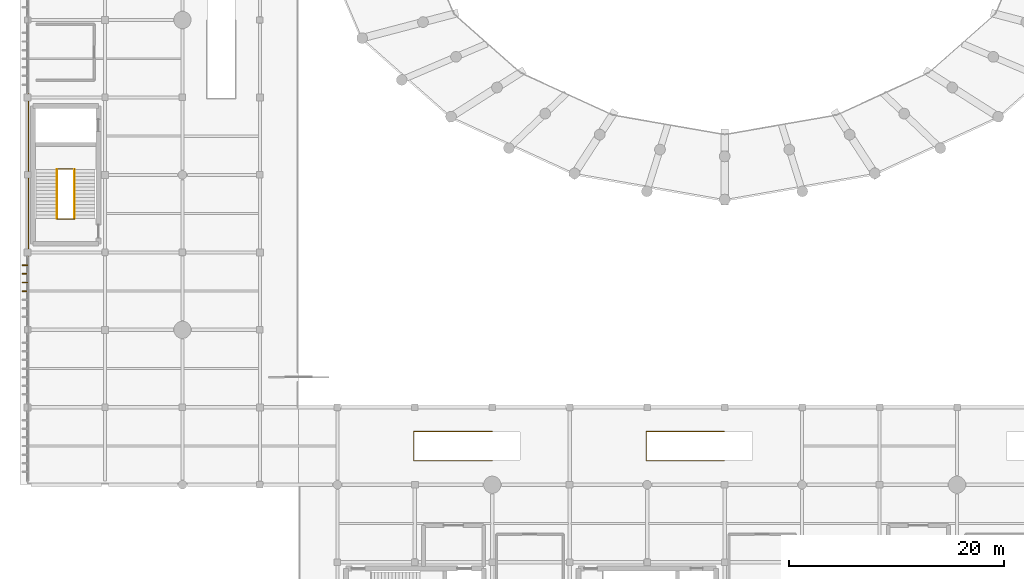
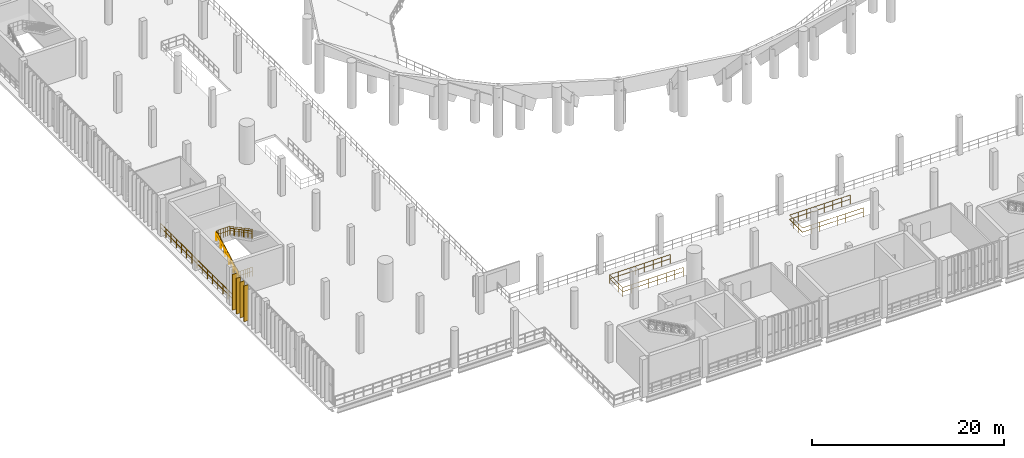
# One storey, part 91 of 105: 9 railings, 4 coverings.
"""IFC4 building model written with IfcOpenShell, lengths in metres."""

from ifc_helpers import new_model, si_unit, direction, frame, origin, origin_2d, place, context, subcontext, project, spatial, rectangle, circle, extrude, material, layer, layer_set, type_object, element, save


model = new_model("IFC4")

# Units and contexts
model_context = context("Model", 3, precision=1e-05, world=origin(), true_north=direction((0.0, 1.0)))
body_context = subcontext(model_context, "Body", "Model", "MODEL_VIEW")
ifc_project = project(units=[si_unit("LENGTHUNIT", "METRE"), si_unit("AREAUNIT", "SQUARE_METRE"), si_unit("VOLUMEUNIT", "CUBIC_METRE"), si_unit("PLANEANGLEUNIT", "RADIAN"), si_unit("MASSUNIT", "GRAM", prefix="KILO")], contexts=[model_context])

# Site, building, storey
site_placement = place(None, origin())
site = spatial("IfcSite", under=ifc_project, at=site_placement, CompositionType="ELEMENT")
building_placement = place(site_placement, origin())
building = spatial("IfcBuilding", under=site, at=building_placement, Name="Qandorah Velis Arena", CompositionType="ELEMENT")
storey_placement = place(building_placement, frame((0.0, 0.0, 13.800048828125)))
storey = spatial("IfcBuildingStorey", under=building, at=storey_placement, Name="L03", CompositionType="ELEMENT", Elevation=13.800048828125)

# Coverings
ifc_material_1 = material(Name="Champagne-bronze anodized aluminium 6063-T6", Category="aluminium")
ifc_layer = layer(ifc_material_1, 0.0849609375)
ifc_layer_set = layer_set([ifc_layer], Name="Champagne-bronze anodized aluminium 6063-T6")
covering_type = type_object("IfcCoveringType", Name="ARC-COV-FIN520", PredefinedType="CLADDING", material=ifc_layer_set)
for number, where, z_axis, x_axis, name in (
    (1, (-0.251953125, 32.39990234375, -0.01025390625), (0.0, 0.0, 1.0), (1.0, 0.0, 0.0), "Vertical champagne-bronze solar fin blade WNG-W-L03-04-004"),
    (2, (-0.251953125, 33.199951171875, -0.01025390625), (0.0, 0.0, 1.0), (1.0, 0.0, 0.0), "Vertical champagne-bronze solar fin blade WNG-W-L03-04-005"),
    (3, (-0.251953125, 34.0, -0.01025390625), (0.0, 0.0, 1.0), (1.0, 0.0, 0.0), "Vertical champagne-bronze solar fin blade WNG-W-L03-04-006"),
    (4, (-0.251953125, 34.800048828125, -0.01025390625), (0.0, 0.0, 1.0), (1.0, 0.0, 0.0), "Vertical champagne-bronze solar fin blade WNG-W-L03-04-007"),
):
    element("IfcCovering", number, at=place(storey_placement, frame(where, z_axis=z_axis, x_axis=x_axis)), inside=storey, type_object=covering_type, Name=name, PredefinedType="CLADDING", context=body_context, shape_type="SweptSolid", body=[
        extrude(rectangle(XDim=0.52001953125, YDim=0.0849609375, at=origin_2d()), origin(), (0.0, 0.0, 1.0), 4.550048828125),
    ])

# Railings
ifc_material_2 = material(Name="Stainless steel 316", Category="steel")
railing_type_1 = type_object("IfcRailingType", Name="ARC-RL-GRD1150", PredefinedType="GUARDRAIL", material=ifc_material_2)
for number, where, name in (
    (5, (2.739990234375, 39.110107421875, 0.0), "Stair ST5 landing well-slot guardrail L03"),
    (6, (2.739990234375, 43.74609375, 2.39990234375), "Stair ST5 well guardrail (L03)"),
):
    element("IfcRailing", number, at=place(storey_placement, frame(where)), inside=storey, type_object=railing_type_1, Name=name, PredefinedType="GUARDRAIL", context=body_context, shape_type="SweptSolid", body=[
        extrude(circle(Radius=0.02392578125, at=origin_2d()), frame((0.0, 0.0, 1.1259765625), z_axis=(1.0, 0.0, 0.0), x_axis=(0.0, 1.0, 0.0)), (0.0, 0.0, 1.0), 1.6201171875),
        extrude(circle(Radius=0.02392578125, at=origin_2d()), frame((0.0, 0.0, 0.597900390625), z_axis=(1.0, 0.0, 0.0), x_axis=(0.0, 1.0, 0.0)), (0.0, 0.0, 1.0), 1.6201171875),
        extrude(circle(Radius=0.02099609375, at=origin_2d()), origin(), (0.0, 0.0, 1.0), 1.101806640625),
        extrude(circle(Radius=0.02099609375, at=origin_2d()), frame((0.27001953125, 0.0, 0.0)), (0.0, 0.0, 1.0), 1.101806640625),
        extrude(circle(Radius=0.02099609375, at=origin_2d()), frame((0.5400390625, 0.0, 0.0)), (0.0, 0.0, 1.0), 1.101806640625),
        extrude(circle(Radius=0.02099609375, at=origin_2d()), frame((0.81005859375, 0.0, 0.0)), (0.0, 0.0, 1.0), 1.101806640625),
        extrude(circle(Radius=0.02099609375, at=origin_2d()), frame((1.080078125, 0.0, 0.0)), (0.0, 0.0, 1.0), 1.101806640625),
        extrude(circle(Radius=0.02099609375, at=origin_2d()), frame((1.35009765625, 0.0, 0.0)), (0.0, 0.0, 1.0), 1.101806640625),
        extrude(circle(Radius=0.02099609375, at=origin_2d()), frame((1.6201171875, 0.0, 0.0)), (0.0, 0.0, 1.0), 1.101806640625),
    ])
railing_1_placement = place(storey_placement, frame((2.72998046875, 39.14990234375, 0.0)))
element("IfcRailing", 7, at=railing_1_placement, inside=storey, type_object=railing_type_1, Name="Stair ST5 inner flight 1 guardrail (L03)", PredefinedType="GUARDRAIL", context=body_context, shape_type="SweptSolid", body=[
    extrude(circle(Radius=0.02392578125, at=origin_2d()), frame((0.0, 0.0, 1.1259765625), z_axis=(0.0, 0.883915174832, 0.467647264187), x_axis=(-1.0, 0.0, 0.0)), (0.0, 0.0, 1.0), 5.1318359375),
    extrude(circle(Radius=0.02392578125, at=origin_2d()), frame((0.0, 0.0, 0.597900390625), z_axis=(0.0, 0.883915174832, 0.467647264187), x_axis=(-1.0, 0.0, 0.0)), (0.0, 0.0, 1.0), 5.1318359375),
    extrude(circle(Radius=0.02099609375, at=origin_2d()), origin(), (0.0, 0.0, 1.0), 1.101806640625),
    extrude(circle(Radius=0.02099609375, at=origin_2d()), frame((0.0, 0.756103515625, 0.39990234375)), (0.0, 0.0, 1.0), 1.101806640625),
    extrude(circle(Radius=0.02099609375, at=origin_2d()), frame((0.0, 1.511962890625, 0.800048828125)), (0.0, 0.0, 1.0), 1.101806640625),
    extrude(circle(Radius=0.02099609375, at=origin_2d()), frame((0.0, 2.26806640625, 1.199951171875)), (0.0, 0.0, 1.0), 1.101806640625),
    extrude(circle(Radius=0.02099609375, at=origin_2d()), frame((0.0, 3.024169921875, 1.599853515625)), (0.0, 0.0, 1.0), 1.101806640625),
    extrude(circle(Radius=0.02099609375, at=origin_2d()), frame((0.0, 3.780029296875, 2.0)), (0.0, 0.0, 1.0), 1.101806640625),
    extrude(circle(Radius=0.02099609375, at=origin_2d()), frame((0.0, 4.5361328125, 2.39990234375)), (0.0, 0.0, 1.0), 1.101806640625),
])
railing_2_placement = place(storey_placement, frame((4.3701171875, 43.68603515625, 2.39990234375)))
element("IfcRailing", 8, at=railing_2_placement, inside=storey, type_object=railing_type_1, Name="Stair ST5 inner flight 2 guardrail (L03)", PredefinedType="GUARDRAIL", context=body_context, shape_type="SweptSolid", body=[
    extrude(circle(Radius=0.02392578125, at=origin_2d()), frame((0.0, 0.0, 1.1259765625), z_axis=(0.0, -0.883895509492, 0.46768443239), x_axis=(1.0, 0.0, 0.0)), (0.0, 0.0, 1.0), 5.132080078125),
    extrude(circle(Radius=0.02392578125, at=origin_2d()), frame((0.0, 0.0, 0.597900390625), z_axis=(0.0, -0.883895509492, 0.46768443239), x_axis=(1.0, 0.0, 0.0)), (0.0, 0.0, 1.0), 5.132080078125),
    extrude(circle(Radius=0.02099609375, at=origin_2d()), origin(), (0.0, 0.0, 1.0), 1.101806640625),
    extrude(circle(Radius=0.02099609375, at=origin_2d()), frame((0.0, -0.756103515625, 0.39990234375)), (0.0, 0.0, 1.0), 1.101806640625),
    extrude(circle(Radius=0.02099609375, at=origin_2d()), frame((0.0, -1.511962890625, 0.800048828125)), (0.0, 0.0, 1.0), 1.101806640625),
    extrude(circle(Radius=0.02099609375, at=origin_2d()), frame((0.0, -2.26806640625, 1.2001953125)), (0.0, 0.0, 1.0), 1.101806640625),
    extrude(circle(Radius=0.02099609375, at=origin_2d()), frame((0.0, -3.024169921875, 1.60009765625)), (0.0, 0.0, 1.0), 1.101806640625),
    extrude(circle(Radius=0.02099609375, at=origin_2d()), frame((0.0, -3.780029296875, 2.0)), (0.0, 0.0, 1.0), 1.101806640625),
    extrude(circle(Radius=0.02099609375, at=origin_2d()), frame((0.0, -4.5361328125, 2.400146484375)), (0.0, 0.0, 1.0), 1.101806640625),
])
railing_3_placement = place(storey_placement, frame((43.199951171875, 19.35009765625, 0.0)))
element("IfcRailing", 9, at=railing_3_placement, inside=storey, type_object=railing_type_1, Name="Vomitory VS9 top well guardrail (L03)", PredefinedType="GUARDRAIL", context=body_context, shape_type="SweptSolid", body=[
    extrude(circle(Radius=0.02392578125, at=origin_2d()), frame((0.0, 0.0, 1.1259765625), z_axis=(-1.0, 0.0, 0.0), x_axis=(0.0, -1.0, 0.0)), (0.0, 0.0, 1.0), 7.300048828125),
    extrude(circle(Radius=0.02392578125, at=origin_2d()), frame((0.0, 0.0, 0.597900390625), z_axis=(-1.0, 0.0, 0.0), x_axis=(0.0, -1.0, 0.0)), (0.0, 0.0, 1.0), 7.300048828125),
    extrude(circle(Radius=0.02392578125, at=origin_2d()), frame((-7.300048828125, 0.0, 1.1259765625), z_axis=(0.0, -1.0, 0.0), x_axis=(1.0, 0.0, 0.0)), (0.0, 0.0, 1.0), 2.7001953125),
    extrude(circle(Radius=0.02392578125, at=origin_2d()), frame((-7.300048828125, 0.0, 0.597900390625), z_axis=(0.0, -1.0, 0.0), x_axis=(1.0, 0.0, 0.0)), (0.0, 0.0, 1.0), 2.7001953125),
    extrude(circle(Radius=0.02392578125, at=origin_2d()), frame((-7.300048828125, -2.7001953125, 1.1259765625), z_axis=(1.0, 0.0, 0.0), x_axis=(0.0, 1.0, 0.0)), (0.0, 0.0, 1.0), 7.300048828125),
    extrude(circle(Radius=0.02392578125, at=origin_2d()), frame((-7.300048828125, -2.7001953125, 0.597900390625), z_axis=(1.0, 0.0, 0.0), x_axis=(0.0, 1.0, 0.0)), (0.0, 0.0, 1.0), 7.300048828125),
    extrude(circle(Radius=0.02099609375, at=origin_2d()), origin(), (0.0, 0.0, 1.0), 1.101806640625),
    extrude(circle(Radius=0.02099609375, at=origin_2d()), frame((-1.04296875, 0.0, 0.0)), (0.0, 0.0, 1.0), 1.101806640625),
    extrude(circle(Radius=0.02099609375, at=origin_2d()), frame((-2.085693359375, 0.0, 0.0)), (0.0, 0.0, 1.0), 1.101806640625),
    extrude(circle(Radius=0.02099609375, at=origin_2d()), frame((-3.128662109375, 0.0, 0.0)), (0.0, 0.0, 1.0), 1.101806640625),
    extrude(circle(Radius=0.02099609375, at=origin_2d()), frame((-4.17138671875, 0.0, 0.0)), (0.0, 0.0, 1.0), 1.101806640625),
    extrude(circle(Radius=0.02099609375, at=origin_2d()), frame((-5.21435546875, 0.0, 0.0)), (0.0, 0.0, 1.0), 1.101806640625),
    extrude(circle(Radius=0.02099609375, at=origin_2d()), frame((-6.257080078125, 0.0, 0.0)), (0.0, 0.0, 1.0), 1.101806640625),
    extrude(circle(Radius=0.02099609375, at=origin_2d()), frame((-7.300048828125, 0.0, 0.0)), (0.0, 0.0, 1.0), 1.101806640625),
    extrude(circle(Radius=0.02099609375, at=origin_2d()), frame((-7.300048828125, -0.900146484375, 0.0)), (0.0, 0.0, 1.0), 1.101806640625),
    extrude(circle(Radius=0.02099609375, at=origin_2d()), frame((-7.300048828125, -1.800048828125, 0.0)), (0.0, 0.0, 1.0), 1.101806640625),
    extrude(circle(Radius=0.02099609375, at=origin_2d()), frame((-7.300048828125, -2.7001953125, 0.0)), (0.0, 0.0, 1.0), 1.101806640625),
    extrude(circle(Radius=0.02099609375, at=origin_2d()), frame((-6.257080078125, -2.7001953125, 0.0)), (0.0, 0.0, 1.0), 1.101806640625),
    extrude(circle(Radius=0.02099609375, at=origin_2d()), frame((-5.21435546875, -2.7001953125, 0.0)), (0.0, 0.0, 1.0), 1.101806640625),
    extrude(circle(Radius=0.02099609375, at=origin_2d()), frame((-4.17138671875, -2.7001953125, 0.0)), (0.0, 0.0, 1.0), 1.101806640625),
    extrude(circle(Radius=0.02099609375, at=origin_2d()), frame((-3.128662109375, -2.7001953125, 0.0)), (0.0, 0.0, 1.0), 1.101806640625),
    extrude(circle(Radius=0.02099609375, at=origin_2d()), frame((-2.085693359375, -2.7001953125, 0.0)), (0.0, 0.0, 1.0), 1.101806640625),
    extrude(circle(Radius=0.02099609375, at=origin_2d()), frame((-1.04296875, -2.7001953125, 0.0)), (0.0, 0.0, 1.0), 1.101806640625),
    extrude(circle(Radius=0.02099609375, at=origin_2d()), frame((0.0, -2.7001953125, 0.0)), (0.0, 0.0, 1.0), 1.101806640625),
])
railing_4_placement = place(storey_placement, frame((64.800048828125, 19.35009765625, 0.0)))
element("IfcRailing", 10, at=railing_4_placement, inside=storey, type_object=railing_type_1, Name="Vomitory VS10 top well guardrail (L03)", PredefinedType="GUARDRAIL", context=body_context, shape_type="SweptSolid", body=[
    extrude(circle(Radius=0.02392578125, at=origin_2d()), frame((0.0, 0.0, 1.1259765625), z_axis=(-1.0, 0.0, 0.0), x_axis=(0.0, -1.0, 0.0)), (0.0, 0.0, 1.0), 7.300048828125),
    extrude(circle(Radius=0.02392578125, at=origin_2d()), frame((0.0, 0.0, 0.597900390625), z_axis=(-1.0, 0.0, 0.0), x_axis=(0.0, -1.0, 0.0)), (0.0, 0.0, 1.0), 7.300048828125),
    extrude(circle(Radius=0.02392578125, at=origin_2d()), frame((-7.300048828125, 0.0, 1.1259765625), z_axis=(0.0, -1.0, 0.0), x_axis=(1.0, 0.0, 0.0)), (0.0, 0.0, 1.0), 2.7001953125),
    extrude(circle(Radius=0.02392578125, at=origin_2d()), frame((-7.300048828125, 0.0, 0.597900390625), z_axis=(0.0, -1.0, 0.0), x_axis=(1.0, 0.0, 0.0)), (0.0, 0.0, 1.0), 2.7001953125),
    extrude(circle(Radius=0.02392578125, at=origin_2d()), frame((-7.300048828125, -2.7001953125, 1.1259765625), z_axis=(1.0, 0.0, 0.0), x_axis=(0.0, 1.0, 0.0)), (0.0, 0.0, 1.0), 7.300048828125),
    extrude(circle(Radius=0.02392578125, at=origin_2d()), frame((-7.300048828125, -2.7001953125, 0.597900390625), z_axis=(1.0, 0.0, 0.0), x_axis=(0.0, 1.0, 0.0)), (0.0, 0.0, 1.0), 7.300048828125),
    extrude(circle(Radius=0.02099609375, at=origin_2d()), origin(), (0.0, 0.0, 1.0), 1.101806640625),
    extrude(circle(Radius=0.02099609375, at=origin_2d()), frame((-1.04296875, 0.0, 0.0)), (0.0, 0.0, 1.0), 1.101806640625),
    extrude(circle(Radius=0.02099609375, at=origin_2d()), frame((-2.085693359375, 0.0, 0.0)), (0.0, 0.0, 1.0), 1.101806640625),
    extrude(circle(Radius=0.02099609375, at=origin_2d()), frame((-3.128662109375, 0.0, 0.0)), (0.0, 0.0, 1.0), 1.101806640625),
    extrude(circle(Radius=0.02099609375, at=origin_2d()), frame((-4.17138671875, 0.0, 0.0)), (0.0, 0.0, 1.0), 1.101806640625),
    extrude(circle(Radius=0.02099609375, at=origin_2d()), frame((-5.21435546875, 0.0, 0.0)), (0.0, 0.0, 1.0), 1.101806640625),
    extrude(circle(Radius=0.02099609375, at=origin_2d()), frame((-6.257080078125, 0.0, 0.0)), (0.0, 0.0, 1.0), 1.101806640625),
    extrude(circle(Radius=0.02099609375, at=origin_2d()), frame((-7.300048828125, 0.0, 0.0)), (0.0, 0.0, 1.0), 1.101806640625),
    extrude(circle(Radius=0.02099609375, at=origin_2d()), frame((-7.300048828125, -0.900146484375, 0.0)), (0.0, 0.0, 1.0), 1.101806640625),
    extrude(circle(Radius=0.02099609375, at=origin_2d()), frame((-7.300048828125, -1.800048828125, 0.0)), (0.0, 0.0, 1.0), 1.101806640625),
    extrude(circle(Radius=0.02099609375, at=origin_2d()), frame((-7.300048828125, -2.7001953125, 0.0)), (0.0, 0.0, 1.0), 1.101806640625),
    extrude(circle(Radius=0.02099609375, at=origin_2d()), frame((-6.257080078125, -2.7001953125, 0.0)), (0.0, 0.0, 1.0), 1.101806640625),
    extrude(circle(Radius=0.02099609375, at=origin_2d()), frame((-5.21435546875, -2.7001953125, 0.0)), (0.0, 0.0, 1.0), 1.101806640625),
    extrude(circle(Radius=0.02099609375, at=origin_2d()), frame((-4.17138671875, -2.7001953125, 0.0)), (0.0, 0.0, 1.0), 1.101806640625),
    extrude(circle(Radius=0.02099609375, at=origin_2d()), frame((-3.128662109375, -2.7001953125, 0.0)), (0.0, 0.0, 1.0), 1.101806640625),
    extrude(circle(Radius=0.02099609375, at=origin_2d()), frame((-2.085693359375, -2.7001953125, 0.0)), (0.0, 0.0, 1.0), 1.101806640625),
    extrude(circle(Radius=0.02099609375, at=origin_2d()), frame((-1.04296875, -2.7001953125, 0.0)), (0.0, 0.0, 1.0), 1.101806640625),
    extrude(circle(Radius=0.02099609375, at=origin_2d()), frame((0.0, -2.7001953125, 0.0)), (0.0, 0.0, 1.0), 1.101806640625),
])
railing_5_placement = place(storey_placement, frame((0.10009765625, 35.64990234375, 0.0)))
element("IfcRailing", 11, at=railing_5_placement, inside=storey, type_object=railing_type_1, Name="Slab edge safety guardrail L03-174", PredefinedType="GUARDRAIL", context=body_context, shape_type="SweptSolid", body=[
    extrude(circle(Radius=0.02392578125, at=origin_2d()), frame((0.0, 0.0, 1.1259765625), z_axis=(0.0, 1.0, 0.0), x_axis=(-1.0, 0.0, 0.0)), (0.0, 0.0, 1.0), 15.10009765625),
    extrude(circle(Radius=0.02392578125, at=origin_2d()), frame((0.0, 0.0, 0.597900390625), z_axis=(0.0, 1.0, 0.0), x_axis=(-1.0, 0.0, 0.0)), (0.0, 0.0, 1.0), 15.10009765625),
    extrude(circle(Radius=0.02099609375, at=origin_2d()), origin(), (0.0, 0.0, 1.0), 1.101806640625),
    extrude(circle(Radius=0.02099609375, at=origin_2d()), frame((0.0, 1.07861328125, 0.0)), (0.0, 0.0, 1.0), 1.101806640625),
    extrude(circle(Radius=0.02099609375, at=origin_2d()), frame((0.0, 2.1572265625, 0.0)), (0.0, 0.0, 1.0), 1.101806640625),
    extrude(circle(Radius=0.02099609375, at=origin_2d()), frame((0.0, 3.23583984375, 0.0)), (0.0, 0.0, 1.0), 1.101806640625),
    extrude(circle(Radius=0.02099609375, at=origin_2d()), frame((0.0, 4.314208984375, 0.0)), (0.0, 0.0, 1.0), 1.101806640625),
    extrude(circle(Radius=0.02099609375, at=origin_2d()), frame((0.0, 5.392822265625, 0.0)), (0.0, 0.0, 1.0), 1.101806640625),
    extrude(circle(Radius=0.02099609375, at=origin_2d()), frame((0.0, 6.471435546875, 0.0)), (0.0, 0.0, 1.0), 1.101806640625),
    extrude(circle(Radius=0.02099609375, at=origin_2d()), frame((0.0, 7.550048828125, 0.0)), (0.0, 0.0, 1.0), 1.101806640625),
    extrude(circle(Radius=0.02099609375, at=origin_2d()), frame((0.0, 8.628662109375, 0.0)), (0.0, 0.0, 1.0), 1.101806640625),
    extrude(circle(Radius=0.02099609375, at=origin_2d()), frame((0.0, 9.707275390625, 0.0)), (0.0, 0.0, 1.0), 1.101806640625),
    extrude(circle(Radius=0.02099609375, at=origin_2d()), frame((0.0, 10.785888671875, 0.0)), (0.0, 0.0, 1.0), 1.101806640625),
    extrude(circle(Radius=0.02099609375, at=origin_2d()), frame((0.0, 11.8642578125, 0.0)), (0.0, 0.0, 1.0), 1.101806640625),
    extrude(circle(Radius=0.02099609375, at=origin_2d()), frame((0.0, 12.94287109375, 0.0)), (0.0, 0.0, 1.0), 1.101806640625),
    extrude(circle(Radius=0.02099609375, at=origin_2d()), frame((0.0, 14.021484375, 0.0)), (0.0, 0.0, 1.0), 1.101806640625),
    extrude(circle(Radius=0.02099609375, at=origin_2d()), frame((0.0, 15.10009765625, 0.0)), (0.0, 0.0, 1.0), 1.101806640625),
])
railing_type_2 = type_object("IfcRailingType", Name="ARC-RL-HND920", PredefinedType="HANDRAIL", material=ifc_material_2)
railing_6_placement = place(storey_placement, frame((2.72998046875, 39.14990234375, 0.0)))
element("IfcRailing", 12, at=railing_6_placement, inside=storey, type_object=railing_type_2, Name="Stair ST5 inner handrail 1 (L03)", PredefinedType="HANDRAIL", context=body_context, shape_type="SweptSolid", body=[
    extrude(circle(Radius=0.02392578125, at=origin_2d()), frame((0.0, 0.0, 0.89599609375), z_axis=(0.0, 0.883915174832, 0.467647264187), x_axis=(-1.0, 0.0, 0.0)), (0.0, 0.0, 1.0), 5.1318359375),
    extrude(circle(Radius=0.02099609375, at=origin_2d()), origin(), (0.0, 0.0, 1.0), 0.871826171875),
    extrude(circle(Radius=0.02099609375, at=origin_2d()), frame((0.0, 0.9072265625, 0.47998046875)), (0.0, 0.0, 1.0), 0.871826171875),
    extrude(circle(Radius=0.02099609375, at=origin_2d()), frame((0.0, 1.814453125, 0.9599609375)), (0.0, 0.0, 1.0), 0.871826171875),
    extrude(circle(Radius=0.02099609375, at=origin_2d()), frame((0.0, 2.7216796875, 1.43994140625)), (0.0, 0.0, 1.0), 0.871826171875),
    extrude(circle(Radius=0.02099609375, at=origin_2d()), frame((0.0, 3.62890625, 1.919921875)), (0.0, 0.0, 1.0), 0.871826171875),
    extrude(circle(Radius=0.02099609375, at=origin_2d()), frame((0.0, 4.5361328125, 2.39990234375)), (0.0, 0.0, 1.0), 0.871826171875),
])
railing_7_placement = place(storey_placement, frame((4.3701171875, 43.68603515625, 2.39990234375)))
element("IfcRailing", 13, at=railing_7_placement, inside=storey, type_object=railing_type_2, Name="Stair ST5 inner handrail 2 (L03)", PredefinedType="HANDRAIL", context=body_context, shape_type="SweptSolid", body=[
    extrude(circle(Radius=0.02392578125, at=origin_2d()), frame((0.0, 0.0, 0.89599609375), z_axis=(0.0, -0.883895509492, 0.46768443239), x_axis=(1.0, 0.0, 0.0)), (0.0, 0.0, 1.0), 5.132080078125),
    extrude(circle(Radius=0.02099609375, at=origin_2d()), origin(), (0.0, 0.0, 1.0), 0.871826171875),
    extrude(circle(Radius=0.02099609375, at=origin_2d()), frame((0.0, -0.9072265625, 0.47998046875)), (0.0, 0.0, 1.0), 0.871826171875),
    extrude(circle(Radius=0.02099609375, at=origin_2d()), frame((0.0, -1.814453125, 0.9599609375)), (0.0, 0.0, 1.0), 0.871826171875),
    extrude(circle(Radius=0.02099609375, at=origin_2d()), frame((0.0, -2.7216796875, 1.440185546875)), (0.0, 0.0, 1.0), 0.871826171875),
    extrude(circle(Radius=0.02099609375, at=origin_2d()), frame((0.0, -3.62890625, 1.920166015625)), (0.0, 0.0, 1.0), 0.871826171875),
    extrude(circle(Radius=0.02099609375, at=origin_2d()), frame((0.0, -4.5361328125, 2.400146484375)), (0.0, 0.0, 1.0), 0.871826171875),
])

save(model, "model.ifc")
